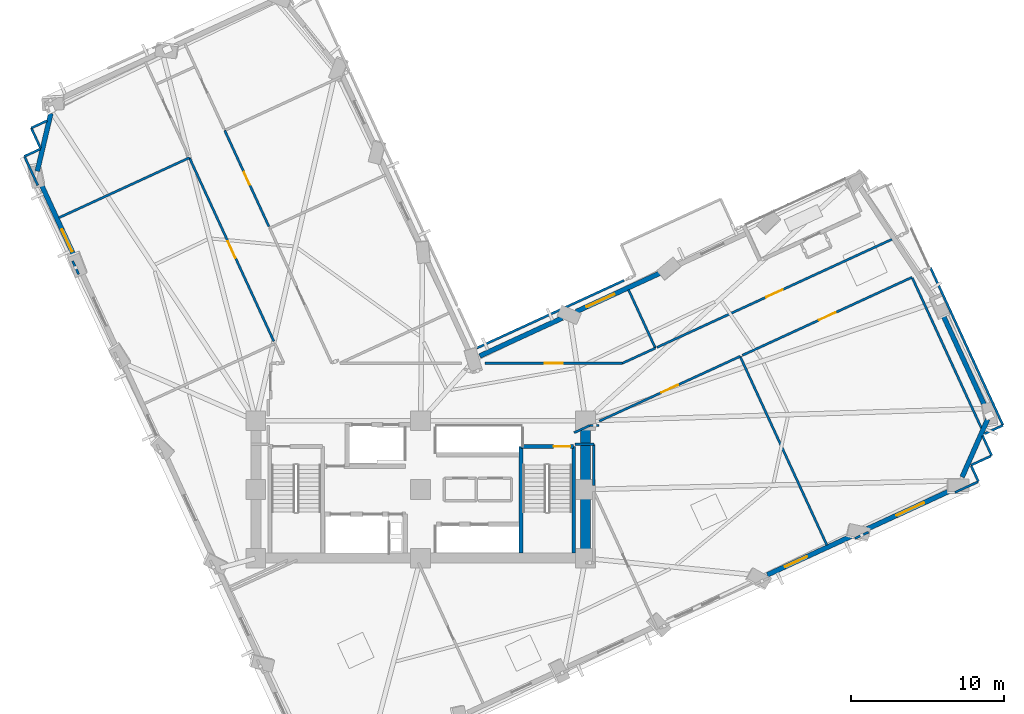
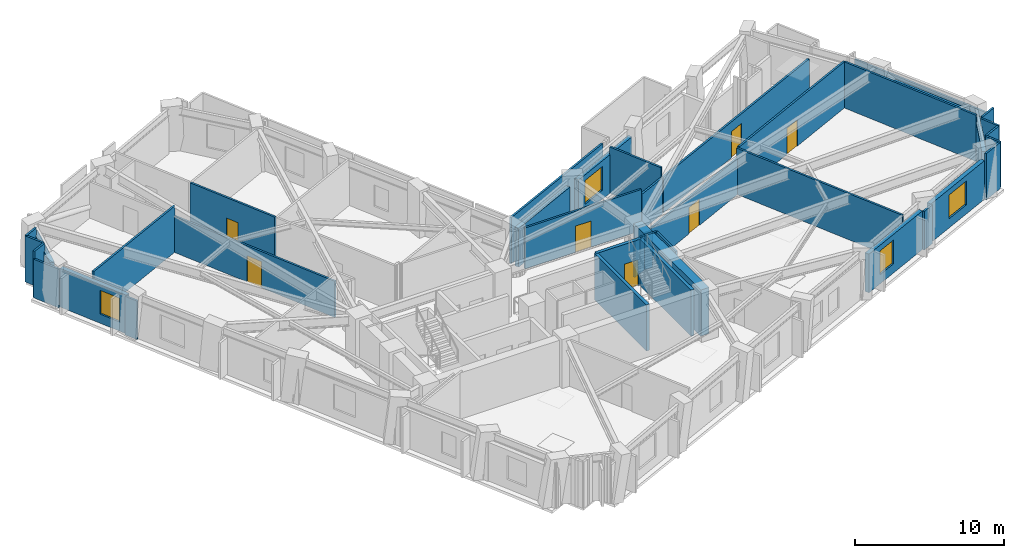
# One storey, part 9 of 16: 40 walls, 7 doors, 4 windows, 11 openings.
"""IFC4 building model written with IfcOpenShell, lengths in metres."""

from ifc_helpers import new_model, si_unit, direction, frame, frame_2d, origin, place, context, subcontext, project, spatial, rectangle, extrude, material, layer, layer_set, type_object, element, fill, save


model = new_model("IFC4")

# Units and contexts
model_context = context("Model", 3, precision=1e-05, world=origin(), true_north=direction((0.0, 1.0)))
body_context = subcontext(model_context, "Body", "Model", "MODEL_VIEW")
ifc_project = project(units=[si_unit("LENGTHUNIT", "METRE"), si_unit("AREAUNIT", "SQUARE_METRE"), si_unit("VOLUMEUNIT", "CUBIC_METRE"), si_unit("PLANEANGLEUNIT", "RADIAN"), si_unit("MASSUNIT", "GRAM", prefix="KILO")], contexts=[model_context])

# Site, building, storey
site_placement = place(None, origin())
site = spatial("IfcSite", under=ifc_project, at=site_placement, CompositionType="ELEMENT")
building_placement = place(site_placement, origin())
building = spatial("IfcBuilding", under=site, at=building_placement, Name="Gaonmaruhae Medical Tower", CompositionType="ELEMENT")
storey_placement = place(building_placement, frame((0.0, 0.0, 128.39990234375)))
storey = spatial("IfcBuildingStorey", under=building, at=storey_placement, Name="L30", CompositionType="ELEMENT", Elevation=128.39990234375)

# Wall
ifc_material_1 = material(Name="Concrete C60/75", Category="concrete")
ifc_layer_1 = layer(ifc_material_1, 0.64990234375)
ifc_layer_set_1 = layer_set([ifc_layer_1], Name="Concrete C60/75")
wall_type_1 = type_object("IfcWallType", Name="CW-650 Zone 2 Core Shear Wall", PredefinedType="SHEAR", material=ifc_layer_set_1)
wall_1_placement = place(storey_placement, frame((35.60009765625, 7.800048828125, 0.0), z_axis=(0.0, 0.0, 1.0), x_axis=(0.0, 1.0, 0.0)))
element("IfcWall", 1, at=wall_1_placement, inside=storey, type_object=wall_type_1, Name="L30 Core Shear Wall CSW-E1", PredefinedType="SHEAR", context=body_context, shape_type="SweptSolid", body=[
    extrude(rectangle(XDim=9.0, YDim=0.64990234375, at=frame_2d((4.5, 0.0))), origin(), (0.0, 0.0, 1.0), 3.780029296875),
])

# Wall, opening, window
ifc_material_2 = material(Name="Precast concrete C45/55", Category="concrete")
ifc_layer_2 = layer(ifc_material_2, 0.320068359375)
ifc_layer_set_2 = layer_set([ifc_layer_2], Name="Precast concrete C45/55")
wall_type_2 = type_object("IfcWallType", Name="EW-320 Lower Precast Masonry-Frame Facade Wall", PredefinedType="SOLIDWALL", material=ifc_layer_set_2)
wall_2_placement = place(storey_placement, frame((53.1611328125, 9.306396484375, 0.0), z_axis=(0.0, 0.0, 1.0), x_axis=(-0.908511320159, -0.41786024116, 0.0)))
wall_2 = element("IfcWall", 2, at=wall_2_placement, inside=storey, type_object=wall_type_2, Name="L30 Precast Masonry-Frame Wall S05-S06", PredefinedType="SOLIDWALL", context=body_context, shape_type="SweptSolid", body=[
    extrude(rectangle(XDim=6.21826171875, YDim=0.320068359375, at=frame_2d((3.109130859375, 0.0))), origin(), (0.0, 0.0, 1.0), 3.1650390625),
])
opening_1_placement = place(wall_2_placement, frame((3.34228515625, 0.0, 0.75)))
opening_1 = element("IfcOpeningElement", 3, at=opening_1_placement, cuts=wall_2, Name="Opening WN-01", PredefinedType="OPENING", context=body_context, shape_type="SweptSolid", body=[
    extrude(rectangle(XDim=1.60009765625, YDim=1.949951171875, at=frame_2d((0.800048828125, 0.97509765625))), frame((0.0, 0.169921875, 0.0), z_axis=(0.0, -1.0, 0.0), x_axis=(1.0, 0.0, 0.0)), (0.0, 0.0, 1.0), 0.340087890625),
])
ifc_material_3 = material(Name="Anodised aluminium and Low-E double glazing", Category="aluminium")
window_type_1 = type_object("IfcWindowType", Name="WN-01 Ward Punched Acoustic Window 1600x1950", PartitioningType="SINGLE_PANEL", PredefinedType="WINDOW", material=ifc_material_3)
window_1_placement = place(opening_1_placement, origin())
window_1 = element("IfcWindow", 4, at=window_1_placement, inside=storey, type_object=window_type_1, Name="L30 Modular Facade Window S05", OverallHeight=1.949951171875, OverallWidth=1.60009765625, PartitioningType="SINGLE_PANEL", PredefinedType="WINDOW", context=body_context, shape_type="SweptSolid", body=[
    extrude(rectangle(XDim=1.60009765625, YDim=1.949951171875, at=frame_2d((0.800048828125, 0.97509765625))), frame((0.0, 0.030029296875, 0.0), z_axis=(0.0, -1.0, 0.0), x_axis=(1.0, 0.0, 0.0)), (0.0, 0.0, 1.0), 0.06005859375),
])
fill(opening_1, window_1)

wall_3_placement = place(storey_placement, frame((59.71630859375, 12.321533203125, 0.0), z_axis=(0.0, 0.0, 1.0), x_axis=(-0.908495501198, -0.417894633015, 0.0)))
wall_3 = element("IfcWall", 5, at=wall_3_placement, inside=storey, type_object=wall_type_2, Name="L30 Precast Masonry-Frame Wall S06-S07", PredefinedType="SOLIDWALL", context=body_context, shape_type="SweptSolid", body=[
    extrude(rectangle(XDim=6.242431640625, YDim=0.320068359375, at=frame_2d((3.12109375, 0.0))), origin(), (0.0, 0.0, 1.0), 3.1650390625),
])
opening_2_placement = place(wall_3_placement, frame((2.125, 0.0, 0.75)))
opening_2 = element("IfcOpeningElement", 6, at=opening_2_placement, cuts=wall_3, Name="Opening WN-02", PredefinedType="OPENING", context=body_context, shape_type="SweptSolid", body=[
    extrude(rectangle(XDim=2.0, YDim=1.949951171875, at=frame_2d((1.0, 0.97509765625))), frame((0.0, 0.169921875, 0.0), z_axis=(0.0, -1.0, 0.0), x_axis=(1.0, 0.0, 0.0)), (0.0, 0.0, 1.0), 0.340087890625),
])
window_type_2 = type_object("IfcWindowType", Name="WN-02 Double-Bed Ward Punched Window 2000x1950", PartitioningType="SINGLE_PANEL", PredefinedType="WINDOW", material=ifc_material_3)
window_2_placement = place(opening_2_placement, origin())
window_2 = element("IfcWindow", 7, at=window_2_placement, inside=storey, type_object=window_type_2, Name="L30 Modular Facade Window S06", OverallHeight=1.949951171875, OverallWidth=2.0, PartitioningType="SINGLE_PANEL", PredefinedType="WINDOW", context=body_context, shape_type="SweptSolid", body=[
    extrude(rectangle(XDim=2.0, YDim=1.949951171875, at=frame_2d((1.0, 0.97509765625))), frame((0.0, 0.030029296875, 0.0), z_axis=(0.0, -1.0, 0.0), x_axis=(1.0, 0.0, 0.0)), (0.0, 0.0, 1.0), 0.06005859375),
])
fill(opening_2, window_2)

# Walls
wall_4_placement = place(storey_placement, frame((61.951904296875, 16.907470703125, 0.0), z_axis=(0.0, 0.0, 1.0), x_axis=(-0.404328860334, -0.914613674018, 0.0)))
element("IfcWall", 8, at=wall_4_placement, inside=storey, type_object=wall_type_2, Name="L30 Precast Masonry-Frame Wall S07-E01", PredefinedType="SOLIDWALL", context=body_context, shape_type="SweptSolid", body=[
    extrude(rectangle(XDim=4.145263671875, YDim=0.320068359375, at=frame_2d((2.07275390625, 0.0))), origin(), (0.0, 0.0, 1.0), 3.1650390625),
])
wall_5_placement = place(storey_placement, frame((58.92041015625, 23.95361328125, 0.0), z_axis=(0.0, 0.0, 1.0), x_axis=(0.417864953171, -0.908509152905, 0.0)))
element("IfcWall", 9, at=wall_5_placement, inside=storey, type_object=wall_type_2, Name="L30 Precast Masonry-Frame Wall E01-E02", PredefinedType="SOLIDWALL", context=body_context, shape_type="SweptSolid", body=[
    extrude(rectangle(XDim=6.83984375, YDim=0.320068359375, at=frame_2d((3.419921875, 0.0))), origin(), (0.0, 0.0, 1.0), 3.1650390625),
])

# Wall, opening, window
wall_6_placement = place(storey_placement, frame((34.988525390625, 23.95263671875, 0.0), z_axis=(0.0, 0.0, 1.0), x_axis=(0.908505077116, 0.417873814512, 0.0)))
wall_6 = element("IfcWall", 10, at=wall_6_placement, inside=storey, type_object=wall_type_2, Name="L30 Precast Masonry-Frame Wall EN02-EN03", PredefinedType="SOLIDWALL", context=body_context, shape_type="SweptSolid", body=[
    extrude(rectangle(XDim=6.211181640625, YDim=0.320068359375, at=frame_2d((3.10546875, 0.0))), origin(), (0.0, 0.0, 1.0), 3.1650390625),
])
opening_3_placement = place(wall_6_placement, frame((0.75341796875, 0.0, 0.75)))
opening_3 = element("IfcOpeningElement", 11, at=opening_3_placement, cuts=wall_6, Name="Opening WN-02", PredefinedType="OPENING", context=body_context, shape_type="SweptSolid", body=[
    extrude(rectangle(XDim=2.0, YDim=1.949951171875, at=frame_2d((1.0, 0.97509765625))), frame((0.0, 0.169921875, 0.0), z_axis=(0.0, -1.0, 0.0), x_axis=(1.0, 0.0, 0.0)), (0.0, 0.0, 1.0), 0.340087890625),
])
window_3_placement = place(opening_3_placement, origin())
window_3 = element("IfcWindow", 12, at=window_3_placement, inside=storey, type_object=window_type_2, Name="L30 Modular Facade Window EN02", OverallHeight=1.949951171875, OverallWidth=2.0, PartitioningType="SINGLE_PANEL", PredefinedType="WINDOW", context=body_context, shape_type="SweptSolid", body=[
    extrude(rectangle(XDim=2.0, YDim=1.949951171875, at=frame_2d((1.0, 0.97509765625))), frame((0.0, 0.030029296875, 0.0), z_axis=(0.0, -1.0, 0.0), x_axis=(1.0, 0.0, 0.0)), (0.0, 0.0, 1.0), 0.06005859375),
])
fill(opening_3, window_3)

# Walls
wall_7_placement = place(storey_placement, frame((28.672119140625, 21.047607421875, 0.0), z_axis=(0.0, 0.0, 1.0), x_axis=(0.908511291262, 0.417860303989, 0.0)))
element("IfcWall", 13, at=wall_7_placement, inside=storey, type_object=wall_type_2, Name="L30 Precast Masonry-Frame Wall EN03-KN01", PredefinedType="SOLIDWALL", context=body_context, shape_type="SweptSolid", body=[
    extrude(rectangle(XDim=5.9599609375, YDim=0.320068359375, at=frame_2d((2.97998046875, 0.0))), origin(), (0.0, 0.0, 1.0), 3.1650390625),
])
wall_8_placement = place(storey_placement, frame((-0.317138671875, 33.154541015625, 0.0), z_axis=(0.0, 0.0, 1.0), x_axis=(0.228790927923, 0.97347558331, 0.0)))
element("IfcWall", 14, at=wall_8_placement, inside=storey, type_object=wall_type_2, Name="L30 Precast Masonry-Frame Wall N03-W01", PredefinedType="SOLIDWALL", context=body_context, shape_type="SweptSolid", body=[
    extrude(rectangle(XDim=3.8896484375, YDim=0.320068359375, at=frame_2d((1.94482421875, 0.0))), origin(), (0.0, 0.0, 1.0), 3.1650390625),
])

# Wall, opening, window
wall_9_placement = place(storey_placement, frame((2.20458984375, 27.36767578125, 0.0), z_axis=(0.0, 0.0, 1.0), x_axis=(-0.417871628393, 0.908506082635, 0.0)))
wall_9 = element("IfcWall", 15, at=wall_9_placement, inside=storey, type_object=wall_type_2, Name="L30 Precast Masonry-Frame Wall W01-W02", PredefinedType="SOLIDWALL", context=body_context, shape_type="SweptSolid", body=[
    extrude(rectangle(XDim=5.455810546875, YDim=0.320068359375, at=frame_2d((2.72802734375, 0.0))), origin(), (0.0, 0.0, 1.0), 3.1650390625),
])
opening_4_placement = place(wall_9_placement, frame((0.572998046875, 0.0, 0.75)))
opening_4 = element("IfcOpeningElement", 16, at=opening_4_placement, cuts=wall_9, Name="Opening WN-01", PredefinedType="OPENING", context=body_context, shape_type="SweptSolid", body=[
    extrude(rectangle(XDim=1.60009765625, YDim=1.949951171875, at=frame_2d((0.800048828125, 0.97509765625))), frame((0.0, 0.169921875, 0.0), z_axis=(0.0, -1.0, 0.0), x_axis=(1.0, 0.0, 0.0)), (0.0, 0.0, 1.0), 0.340087890625),
])
window_4_placement = place(opening_4_placement, origin())
window_4 = element("IfcWindow", 17, at=window_4_placement, inside=storey, type_object=window_type_1, Name="L30 Modular Facade Window W01", OverallHeight=1.949951171875, OverallWidth=1.60009765625, PartitioningType="SINGLE_PANEL", PredefinedType="WINDOW", context=body_context, shape_type="SweptSolid", body=[
    extrude(rectangle(XDim=1.60009765625, YDim=1.949951171875, at=frame_2d((0.800048828125, 0.97509765625))), frame((0.0, 0.030029296875, 0.0), z_axis=(0.0, -1.0, 0.0), x_axis=(1.0, 0.0, 0.0)), (0.0, 0.0, 1.0), 0.06005859375),
])
fill(opening_4, window_4)

# Walls
ifc_material_4 = material(Name="Gypsum board partition", Category="gypsum")
ifc_layer_3 = layer(ifc_material_4, 0.14990234375)
ifc_layer_set_3 = layer_set([ifc_layer_3], Name="Gypsum board partition")
wall_type_3 = type_object("IfcWallType", Name="PW-150 Rated Clinical Corridor Partition", PredefinedType="PARTITIONING", material=ifc_layer_set_3)
wall_10_placement = place(storey_placement, frame((34.85009765625, 16.01904296875, 0.0), z_axis=(0.0, 0.0, 1.0), x_axis=(0.908541977425, 0.417793579722, 0.0)))
element("IfcWall", 18, at=wall_10_placement, inside=storey, type_object=wall_type_3, Name="L30 Interior Partition L30-SUP03-22", PredefinedType="PARTITIONING", context=body_context, shape_type="SweptSolid", body=[
    extrude(rectangle(XDim=1.151123046875, YDim=0.14990234375, at=frame_2d((0.57568359375, 0.0))), origin(), (0.0, 0.0, 1.0), 2.945068359375),
])
wall_11_placement = place(storey_placement, frame((35.89599609375, 16.5, 0.0), z_axis=(0.0, 0.0, 1.0), x_axis=(1.0, 0.0, 0.0)))
element("IfcWall", 19, at=wall_11_placement, inside=storey, type_object=wall_type_3, Name="L30 Interior Partition L30-SUP03-23", PredefinedType="PARTITIONING", context=body_context, shape_type="SweptSolid", body=[
    extrude(rectangle(XDim=0.60400390625, YDim=0.14990234375, at=frame_2d((0.302001953125, 0.0))), origin(), (0.0, 0.0, 1.0), 2.965087890625),
])

# Wall, opening, door
wall_12_placement = place(storey_placement, frame((36.5, 16.778076171875, 0.0), z_axis=(0.0, 0.0, 1.0), x_axis=(0.908527682077, 0.417824665261, 0.0)))
wall_12 = element("IfcWall", 20, at=wall_12_placement, inside=storey, type_object=wall_type_3, Name="L30 Interior Partition L30-SUP03-24", PredefinedType="PARTITIONING", context=body_context, shape_type="SweptSolid", body=[
    extrude(rectangle(XDim=10.1572265625, YDim=0.14990234375, at=frame_2d((5.07861328125, 0.0))), origin(), (0.0, 0.0, 1.0), 2.965087890625),
])
opening_5_placement = place(wall_12_placement, frame((4.478515625, 0.0, 0.0)))
opening_5 = element("IfcOpeningElement", 21, at=opening_5_placement, cuts=wall_12, Name="Opening CD-02", PredefinedType="OPENING", context=body_context, shape_type="SweptSolid", body=[
    extrude(rectangle(XDim=1.199951171875, YDim=2.14990234375, at=frame_2d((0.60009765625, 1.074951171875))), frame((0.0, 0.0849609375, 0.0), z_axis=(0.0, -1.0, 0.0), x_axis=(1.0, 0.0, 0.0)), (0.0, 0.0, 1.0), 0.169921875),
])
ifc_material_5 = material(Name="Antimicrobial laminate timber fire door", Category="wood")
door_type_1 = type_object("IfcDoorType", Name="CD-02 Clinical Treatment & Procedure Door 1200x2150", OperationType="NOTDEFINED", PredefinedType="DOOR", material=ifc_material_5)
door_1_placement = place(opening_5_placement, origin())
door_1 = element("IfcDoor", 22, at=door_1_placement, inside=storey, type_object=door_type_1, Name="L30 Clinical Biomedical Charting Office Door", OperationType="SINGLE_SWING_LEFT", OverallHeight=2.14990234375, OverallWidth=1.199951171875, PredefinedType="DOOR", context=body_context, shape_type="SweptSolid", body=[
    extrude(rectangle(XDim=1.199951171875, YDim=2.14990234375, at=frame_2d((0.60009765625, 1.074951171875))), frame((0.0, 0.02490234375, 0.0), z_axis=(0.0, -1.0, 0.0), x_axis=(1.0, 0.0, 0.0)), (0.0, 0.0, 1.0), 0.050048828125),
])
fill(opening_5, door_1)

# Walls
wall_13_placement = place(storey_placement, frame((45.72802734375, 21.02197265625, 0.0), z_axis=(0.0, 0.0, 1.0), x_axis=(0.417861501893, -0.908510740297, 0.0)))
element("IfcWall", 23, at=wall_13_placement, inside=storey, type_object=wall_type_3, Name="L30 Interior Partition L30-SUP03-25", PredefinedType="PARTITIONING", context=body_context, shape_type="SweptSolid", body=[
    extrude(rectangle(XDim=13.614501953125, YDim=0.14990234375, at=frame_2d((6.80712890625, 0.0))), origin(), (0.0, 0.0, 1.0), 3.780029296875),
])
wall_14_placement = place(storey_placement, frame((36.14990234375, 12.554931640625, 0.0), z_axis=(0.0, 0.0, 1.0), x_axis=(0.0, 1.0, 0.0)))
element("IfcWall", 24, at=wall_14_placement, inside=storey, type_object=wall_type_3, Name="L30 Interior Partition L30-SUP03-28", PredefinedType="PARTITIONING", context=body_context, shape_type="SweptSolid", body=[
    extrude(rectangle(XDim=2.705078125, YDim=0.14990234375, at=frame_2d((1.3525390625, 0.0))), origin(), (0.0, 0.0, 1.0), 3.780029296875),
])
wall_15_placement = place(storey_placement, frame((36.14990234375, 15.260009765625, 0.0), z_axis=(0.0, 0.0, 1.0), x_axis=(-1.0, 0.0, 0.0)))
element("IfcWall", 25, at=wall_15_placement, inside=storey, type_object=wall_type_3, Name="L30 Interior Partition L30-SUP03-29", PredefinedType="PARTITIONING", context=body_context, shape_type="SweptSolid", body=[
    extrude(rectangle(XDim=1.243896484375, YDim=0.14990234375, at=frame_2d((0.6220703125, 0.0))), origin(), (0.0, 0.0, 1.0), 3.780029296875),
])

# Wall, opening, door
wall_16_placement = place(storey_placement, frame((45.8740234375, 21.089111328125, 0.0), z_axis=(0.0, 0.0, 1.0), x_axis=(0.90849514781, 0.417895401273, 0.0)))
wall_16 = element("IfcWall", 26, at=wall_16_placement, inside=storey, type_object=wall_type_3, Name="L30 Interior Partition L30-SUP04-30", PredefinedType="PARTITIONING", context=body_context, shape_type="SweptSolid", body=[
    extrude(rectangle(XDim=12.239990234375, YDim=0.14990234375, at=frame_2d((6.1201171875, 0.0))), origin(), (0.0, 0.0, 1.0), 3.780029296875),
])
opening_6_placement = place(wall_16_placement, frame((5.52001953125, 0.0, 0.0)))
opening_6 = element("IfcOpeningElement", 27, at=opening_6_placement, cuts=wall_16, Name="Opening CD-02", PredefinedType="OPENING", context=body_context, shape_type="SweptSolid", body=[
    extrude(rectangle(XDim=1.199951171875, YDim=2.14990234375, at=frame_2d((0.60009765625, 1.074951171875))), frame((0.0, 0.0849609375, 0.0), z_axis=(0.0, -1.0, 0.0), x_axis=(1.0, 0.0, 0.0)), (0.0, 0.0, 1.0), 0.169921875),
])
door_2_placement = place(opening_6_placement, origin())
door_2 = element("IfcDoor", 28, at=door_2_placement, inside=storey, type_object=door_type_1, Name="L30 Clinical Biomedical Charting Office Door", OperationType="SINGLE_SWING_RIGHT", OverallHeight=2.14990234375, OverallWidth=1.199951171875, PredefinedType="DOOR", context=body_context, shape_type="SweptSolid", body=[
    extrude(rectangle(XDim=1.199951171875, YDim=2.14990234375, at=frame_2d((0.60009765625, 1.074951171875))), frame((0.0, 0.02490234375, 0.0), z_axis=(0.0, -1.0, 0.0), x_axis=(1.0, 0.0, 0.0)), (0.0, 0.0, 1.0), 0.050048828125),
])
fill(opening_6, door_2)

# Walls
wall_17_placement = place(storey_placement, frame((57.014892578125, 26.158935546875, 0.0), z_axis=(0.0, 0.0, 1.0), x_axis=(0.417893334467, -0.90849609851, 0.0)))
element("IfcWall", 29, at=wall_17_placement, inside=storey, type_object=wall_type_3, Name="L30 Interior Partition L30-SUP04-31", PredefinedType="PARTITIONING", context=body_context, shape_type="SweptSolid", body=[
    extrude(rectangle(XDim=10.83544921875, YDim=0.14990234375, at=frame_2d((5.417724609375, 0.0))), origin(), (0.0, 0.0, 1.0), 3.780029296875),
])
wall_18_placement = place(storey_placement, frame((61.616943359375, 15.81591796875, 0.0), z_axis=(0.0, 0.0, 1.0), x_axis=(0.418040799826, -0.908428252357, 0.0)))
element("IfcWall", 30, at=wall_18_placement, inside=storey, type_object=wall_type_3, Name="L30 Interior Partition L30-SUP04-32", PredefinedType="PARTITIONING", context=body_context, shape_type="SweptSolid", body=[
    extrude(rectangle(XDim=1.430908203125, YDim=0.14990234375, at=frame_2d((0.71533203125, 0.0))), origin(), (0.0, 0.0, 1.0), 3.780029296875),
])
wall_19_placement = place(storey_placement, frame((62.169921875, 14.4951171875, 0.0), z_axis=(0.0, 0.0, 1.0), x_axis=(-0.908751053696, -0.417338618398, 0.0)))
element("IfcWall", 31, at=wall_19_placement, inside=storey, type_object=wall_type_3, Name="L30 Interior Partition L30-SUP04-33", PredefinedType="PARTITIONING", context=body_context, shape_type="SweptSolid", body=[
    extrude(rectangle(XDim=1.4501953125, YDim=0.14990234375, at=frame_2d((0.72509765625, 0.0))), origin(), (0.0, 0.0, 1.0), 3.780029296875),
])
wall_20_placement = place(storey_placement, frame((60.873046875, 13.844970703125, 0.0), z_axis=(0.0, 0.0, 1.0), x_axis=(0.418304824386, -0.908306706953, 0.0)))
element("IfcWall", 32, at=wall_20_placement, inside=storey, type_object=wall_type_3, Name="L30 Interior Partition L30-SUP04-34", PredefinedType="PARTITIONING", context=body_context, shape_type="SweptSolid", body=[
    extrude(rectangle(XDim=1.130615234375, YDim=0.14990234375, at=frame_2d((0.5654296875, 0.0))), origin(), (0.0, 0.0, 1.0), 3.780029296875),
])
wall_21_placement = place(storey_placement, frame((61.301025390625, 12.797119140625, 0.0), z_axis=(0.0, 0.0, 1.0), x_axis=(-0.908690592255, -0.417470247499, 0.0)))
element("IfcWall", 33, at=wall_21_placement, inside=storey, type_object=wall_type_3, Name="L30 Interior Partition L30-SUP04-35", PredefinedType="PARTITIONING", context=body_context, shape_type="SweptSolid", body=[
    extrude(rectangle(XDim=1.638671875, YDim=0.14990234375, at=frame_2d((0.8193359375, 0.0))), origin(), (0.0, 0.0, 1.0), 3.780029296875),
])
wall_22_placement = place(storey_placement, frame((54.14111328125, 9.50390625, 0.0), z_axis=(0.0, 0.0, 1.0), x_axis=(-0.908362785779, -0.418183033387, 0.0)))
element("IfcWall", 34, at=wall_22_placement, inside=storey, type_object=wall_type_3, Name="L30 Interior Partition L30-SUP04-36", PredefinedType="PARTITIONING", context=body_context, shape_type="SweptSolid", body=[
    extrude(rectangle(XDim=0.97314453125, YDim=0.14990234375, at=frame_2d((0.486572265625, 0.0))), origin(), (0.0, 0.0, 1.0), 3.1650390625),
])
wall_23_placement = place(storey_placement, frame((1.094970703125, 30.10205078125, 0.0), z_axis=(0.0, 0.0, 1.0), x_axis=(0.908480804965, 0.417926580884, 0.0)))
element("IfcWall", 35, at=wall_23_placement, inside=storey, type_object=wall_type_3, Name="L30 Interior Partition L30-WOF06-47", PredefinedType="PARTITIONING", context=body_context, shape_type="SweptSolid", body=[
    extrude(rectangle(XDim=9.415771484375, YDim=0.14990234375, at=frame_2d((4.7080078125, 0.0))), origin(), (0.0, 0.0, 1.0), 3.780029296875),
])

# Wall, opening, door
wall_24_placement = place(storey_placement, frame((9.64892578125, 34.037109375, 0.0), z_axis=(0.0, 0.0, 1.0), x_axis=(0.417880345161, -0.908502073266, 0.0)))
wall_24 = element("IfcWall", 36, at=wall_24_placement, inside=storey, type_object=wall_type_3, Name="L30 Interior Partition L30-WOF06-48", PredefinedType="PARTITIONING", context=body_context, shape_type="SweptSolid", body=[
    extrude(rectangle(XDim=13.240478515625, YDim=0.14990234375, at=frame_2d((6.6201171875, 0.0))), origin(), (0.0, 0.0, 1.0), 2.965087890625),
])
opening_7_placement = place(wall_24_placement, frame((6.020263671875, 0.0, 0.0)))
opening_7 = element("IfcOpeningElement", 37, at=opening_7_placement, cuts=wall_24, Name="Opening CD-02", PredefinedType="OPENING", context=body_context, shape_type="SweptSolid", body=[
    extrude(rectangle(XDim=1.199951171875, YDim=2.14990234375, at=frame_2d((0.60009765625, 1.074951171875))), frame((0.0, 0.0849609375, 0.0), z_axis=(0.0, -1.0, 0.0), x_axis=(1.0, 0.0, 0.0)), (0.0, 0.0, 1.0), 0.169921875),
])
door_3_placement = place(opening_7_placement, origin())
door_3 = element("IfcDoor", 38, at=door_3_placement, inside=storey, type_object=door_type_1, Name="L30 Ward Physician Reporting Office Door", OperationType="SINGLE_SWING_RIGHT", OverallHeight=2.14990234375, OverallWidth=1.199951171875, PredefinedType="DOOR", context=body_context, shape_type="SweptSolid", body=[
    extrude(rectangle(XDim=1.199951171875, YDim=2.14990234375, at=frame_2d((0.60009765625, 1.074951171875))), frame((0.0, 0.02490234375, 0.0), z_axis=(0.0, -1.0, 0.0), x_axis=(1.0, 0.0, 0.0)), (0.0, 0.0, 1.0), 0.050048828125),
])
fill(opening_7, door_3)

# Walls
wall_25_placement = place(storey_placement, frame((2.39697265625, 26.39892578125, 0.0), z_axis=(0.0, 0.0, 1.0), x_axis=(-0.417284653467, 0.908775834835, 0.0)))
element("IfcWall", 39, at=wall_25_placement, inside=storey, type_object=wall_type_3, Name="L30 Interior Partition L30-WOF06-50", PredefinedType="PARTITIONING", context=body_context, shape_type="SweptSolid", body=[
    extrude(rectangle(XDim=0.960693359375, YDim=0.14990234375, at=frame_2d((0.48046875, 0.0))), origin(), (0.0, 0.0, 1.0), 3.1650390625),
])
wall_26_placement = place(storey_placement, frame((-0.712890625, 35.985107421875, 0.0), z_axis=(0.0, 0.0, 1.0), x_axis=(0.908417143936, 0.41806493826, 0.0)))
element("IfcWall", 40, at=wall_26_placement, inside=storey, type_object=wall_type_3, Name="L30 Interior Partition L30-WOF07-51", PredefinedType="PARTITIONING", context=body_context, shape_type="SweptSolid", body=[
    extrude(rectangle(XDim=1.13818359375, YDim=0.14990234375, at=frame_2d((0.569091796875, 0.0))), origin(), (0.0, 0.0, 1.0), 3.780029296875),
])
wall_27_placement = place(storey_placement, frame((-0.283935546875, 32.22802734375, 0.0), z_axis=(0.0, 0.0, 1.0), x_axis=(-0.417755356028, 0.90855955364, 0.0)))
element("IfcWall", 41, at=wall_27_placement, inside=storey, type_object=wall_type_3, Name="L30 Interior Partition L30-WOF07-55", PredefinedType="PARTITIONING", context=body_context, shape_type="SweptSolid", body=[
    extrude(rectangle(XDim=2.09228515625, YDim=0.14990234375, at=frame_2d((1.046142578125, 0.0))), origin(), (0.0, 0.0, 1.0), 3.1650390625),
])
wall_28_placement = place(storey_placement, frame((-1.157958984375, 34.12890625, 0.0), z_axis=(0.0, 0.0, 1.0), x_axis=(0.908567881383, 0.417737243873, 0.0)))
element("IfcWall", 42, at=wall_28_placement, inside=storey, type_object=wall_type_3, Name="L30 Interior Partition L30-WOF07-56", PredefinedType="PARTITIONING", context=body_context, shape_type="SweptSolid", body=[
    extrude(rectangle(XDim=1.14892578125, YDim=0.14990234375, at=frame_2d((0.574462890625, 0.0))), origin(), (0.0, 0.0, 1.0), 3.780029296875),
])
wall_29_placement = place(storey_placement, frame((-0.10302734375, 34.657958984375, 0.0), z_axis=(0.0, 0.0, 1.0), x_axis=(-0.417552394097, 0.908652848003, 0.0)))
element("IfcWall", 43, at=wall_29_placement, inside=storey, type_object=wall_type_3, Name="L30 Interior Partition L30-WOF07-57", PredefinedType="PARTITIONING", context=body_context, shape_type="SweptSolid", body=[
    extrude(rectangle(XDim=1.46044921875, YDim=0.14990234375, at=frame_2d((0.730224609375, 0.0))), origin(), (0.0, 0.0, 1.0), 3.780029296875),
])

# Wall, opening, door
wall_30_placement = place(storey_placement, frame((38.01904296875, 20.572998046875, 0.0), z_axis=(0.0, 0.0, 1.0), x_axis=(-0.999999691191, 0.000785886319, 0.0)))
wall_30 = element("IfcWall", 44, at=wall_30_placement, inside=storey, type_object=wall_type_3, Name="L30 Interior Partition L30-IE01-58", PredefinedType="PARTITIONING", context=body_context, shape_type="SweptSolid", body=[
    extrude(rectangle(XDim=9.009033203125, YDim=0.14990234375, at=frame_2d((4.50439453125, 0.0))), origin(), (0.0, 0.0, 1.0), 3.364990234375),
])
opening_8_placement = place(wall_30_placement, frame((3.904541015625, 0.0, 0.0)))
opening_8 = element("IfcOpeningElement", 45, at=opening_8_placement, cuts=wall_30, Name="Opening CD-02", PredefinedType="OPENING", context=body_context, shape_type="SweptSolid", body=[
    extrude(rectangle(XDim=1.199951171875, YDim=2.14990234375, at=frame_2d((0.60009765625, 1.074951171875))), frame((0.0, 0.0849609375, 0.0), z_axis=(0.0, -1.0, 0.0), x_axis=(1.0, 0.0, 0.0)), (0.0, 0.0, 1.0), 0.169921875),
])
door_4_placement = place(opening_8_placement, origin())
door_4 = element("IfcDoor", 46, at=door_4_placement, inside=storey, type_object=door_type_1, Name="L30 Central Clinical Nurse Station Door", OperationType="SINGLE_SWING_LEFT", OverallHeight=2.14990234375, OverallWidth=1.199951171875, PredefinedType="DOOR", context=body_context, shape_type="SweptSolid", body=[
    extrude(rectangle(XDim=1.199951171875, YDim=2.14990234375, at=frame_2d((0.60009765625, 1.074951171875))), frame((0.0, 0.02490234375, 0.0), z_axis=(0.0, -1.0, 0.0), x_axis=(1.0, 0.0, 0.0)), (0.0, 0.0, 1.0), 0.050048828125),
])
fill(opening_8, door_4)

# Walls
wall_31_placement = place(storey_placement, frame((28.48291015625, 21.56591796875, 0.0), z_axis=(0.0, 0.0, 1.0), x_axis=(0.908526220932, 0.417827842393, 0.0)))
element("IfcWall", 47, at=wall_31_placement, inside=storey, type_object=wall_type_3, Name="L30 Interior Partition L30-IE01-64", PredefinedType="PARTITIONING", context=body_context, shape_type="SweptSolid", body=[
    extrude(rectangle(XDim=10.6240234375, YDim=0.14990234375, at=frame_2d((5.31201171875, 0.0))), origin(), (0.0, 0.0, 1.0), 3.780029296875),
])
wall_32_placement = place(storey_placement, frame((38.4208984375, 25.383056640625, 0.0), z_axis=(0.0, 0.0, 1.0), x_axis=(0.418067562833, -0.908415936071, 0.0)))
element("IfcWall", 48, at=wall_32_placement, inside=storey, type_object=wall_type_3, Name="L30 Interior Partition L30-IE01-65", PredefinedType="PARTITIONING", context=body_context, shape_type="SweptSolid", body=[
    extrude(rectangle(XDim=4.205078125, YDim=0.14990234375, at=frame_2d((2.1025390625, 0.0))), origin(), (0.0, 0.0, 1.0), 3.780029296875),
])
wall_33_placement = place(storey_placement, frame((40.178955078125, 21.56298828125, 0.0), z_axis=(0.0, 0.0, 1.0), x_axis=(-0.90905995789, -0.416665324884, 0.0)))
element("IfcWall", 49, at=wall_33_placement, inside=storey, type_object=wall_type_3, Name="L30 Interior Partition L30-IE01-66", PredefinedType="PARTITIONING", context=body_context, shape_type="SweptSolid", body=[
    extrude(rectangle(XDim=2.3759765625, YDim=0.14990234375, at=frame_2d((1.18798828125, 0.0))), origin(), (0.0, 0.0, 1.0), 2.945068359375),
])

# Wall, opening, door
wall_34_placement = place(storey_placement, frame((55.677978515625, 28.69189453125, 0.0), z_axis=(0.0, 0.0, 1.0), x_axis=(-0.908501505358, -0.417881579832, 0.0)))
wall_34 = element("IfcWall", 50, at=wall_34_placement, inside=storey, type_object=wall_type_3, Name="L30 Interior Partition L30-IE02-78", PredefinedType="PARTITIONING", context=body_context, shape_type="SweptSolid", body=[
    extrude(rectangle(XDim=16.93994140625, YDim=0.14990234375, at=frame_2d((8.469970703125, 0.0))), origin(), (0.0, 0.0, 1.0), 2.945068359375),
])
opening_9_placement = place(wall_34_placement, frame((7.8701171875, 0.0, 0.0)))
opening_9 = element("IfcOpeningElement", 51, at=opening_9_placement, cuts=wall_34, Name="Opening CD-02", PredefinedType="OPENING", context=body_context, shape_type="SweptSolid", body=[
    extrude(rectangle(XDim=1.199951171875, YDim=2.14990234375, at=frame_2d((0.60009765625, 1.074951171875))), frame((0.0, 0.0849609375, 0.0), z_axis=(0.0, -1.0, 0.0), x_axis=(1.0, 0.0, 0.0)), (0.0, 0.0, 1.0), 0.169921875),
])
door_5_placement = place(opening_9_placement, origin())
door_5 = element("IfcDoor", 52, at=door_5_placement, inside=storey, type_object=door_type_1, Name="L30 Acute Treatment Examination Room Door", OperationType="SINGLE_SWING_RIGHT", OverallHeight=2.14990234375, OverallWidth=1.199951171875, PredefinedType="DOOR", context=body_context, shape_type="SweptSolid", body=[
    extrude(rectangle(XDim=1.199951171875, YDim=2.14990234375, at=frame_2d((0.60009765625, 1.074951171875))), frame((0.0, 0.02490234375, 0.0), z_axis=(0.0, -1.0, 0.0), x_axis=(1.0, 0.0, 0.0)), (0.0, 0.0, 1.0), 0.050048828125),
])
fill(opening_9, door_5)

wall_35_placement = place(storey_placement, frame((14.85791015625, 29.531005859375, 0.0), z_axis=(0.0, 0.0, 1.0), x_axis=(-0.417891651322, 0.908496872727, 0.0)))
wall_35 = element("IfcWall", 53, at=wall_35_placement, inside=storey, type_object=wall_type_3, Name="L30 Interior Partition L30-IN02-86", PredefinedType="PARTITIONING", context=body_context, shape_type="SweptSolid", body=[
    extrude(rectangle(XDim=6.929931640625, YDim=0.14990234375, at=frame_2d((3.46484375, 0.0))), origin(), (0.0, 0.0, 1.0), 3.780029296875),
])
opening_10_placement = place(wall_35_placement, frame((3.005126953125, 0.0, 0.0)))
opening_10 = element("IfcOpeningElement", 54, at=opening_10_placement, cuts=wall_35, Name="Opening UD-01", PredefinedType="OPENING", context=body_context, shape_type="SweptSolid", body=[
    extrude(rectangle(XDim=0.919921875, YDim=2.10009765625, at=frame_2d((0.4599609375, 1.050048828125))), frame((0.0, 0.0849609375, 0.0), z_axis=(0.0, -1.0, 0.0), x_axis=(1.0, 0.0, 0.0)), (0.0, 0.0, 1.0), 0.169921875),
])
ifc_material_6 = material(Name="Powder-coated steel utility door", Category="steel")
door_type_2 = type_object("IfcDoorType", Name="UD-01 Toilet, Utility & Housekeeping Door 920x2100", OperationType="NOTDEFINED", PredefinedType="DOOR", material=ifc_material_6)
door_6_placement = place(opening_10_placement, origin())
door_6 = element("IfcDoor", 55, at=door_6_placement, inside=storey, type_object=door_type_2, Name="L30 Ward Nutrition Pantry Door", OperationType="SINGLE_SWING_LEFT", OverallHeight=2.10009765625, OverallWidth=0.919921875, PredefinedType="DOOR", context=body_context, shape_type="SweptSolid", body=[
    extrude(rectangle(XDim=0.919921875, YDim=2.10009765625, at=frame_2d((0.4599609375, 1.050048828125))), frame((0.0, 0.02490234375, 0.0), z_axis=(0.0, -1.0, 0.0), x_axis=(1.0, 0.0, 0.0)), (0.0, 0.0, 1.0), 0.050048828125),
])
fill(opening_10, door_6)

# Walls
wall_36_placement = place(storey_placement, frame((58.199951171875, 26.8359375, 0.0), z_axis=(0.0, 0.0, 1.0), x_axis=(0.417851377293, -0.90851539695, 0.0)))
element("IfcWall", 56, at=wall_36_placement, inside=storey, type_object=wall_type_3, Name="L30 Interior Partition L30-RM02-98", PredefinedType="PARTITIONING", context=body_context, shape_type="SweptSolid", body=[
    extrude(rectangle(XDim=11.3701171875, YDim=0.14990234375, at=frame_2d((5.68505859375, 0.0))), origin(), (0.0, 0.0, 1.0), 3.1650390625),
])
wall_37_placement = place(storey_placement, frame((62.950927734375, 16.506103515625, 0.0), z_axis=(0.0, 0.0, 1.0), x_axis=(-0.908428174365, -0.418040969307, 0.0)))
element("IfcWall", 57, at=wall_37_placement, inside=storey, type_object=wall_type_3, Name="L30 Interior Partition L30-RM02-99", PredefinedType="PARTITIONING", context=body_context, shape_type="SweptSolid", body=[
    extrude(rectangle(XDim=1.33984375, YDim=0.14990234375, at=frame_2d((0.669921875, 0.0))), origin(), (0.0, 0.0, 1.0), 3.780029296875),
])

# Wall, opening, door
ifc_material_7 = material(Name="Concrete C50/60", Category="concrete")
ifc_layer_4 = layer(ifc_material_7, 0.239990234375)
ifc_layer_set_4 = layer_set([ifc_layer_4], Name="Concrete C50/60")
wall_type_4 = type_object("IfcWallType", Name="SW-240 Dogleg Stair Tight Shaft Wall", PredefinedType="SOLIDWALL", material=ifc_layer_set_4)
wall_38_placement = place(storey_placement, frame((31.3701171875, 15.1201171875, 0.0), z_axis=(0.0, 0.0, 1.0), x_axis=(1.0, 0.0, 0.0)))
wall_38 = element("IfcWall", 58, at=wall_38_placement, inside=storey, type_object=wall_type_4, Name="L30 ST-02 Stair Shaft Wall SHW-ST-02-N", PredefinedType="SOLIDWALL", context=body_context, shape_type="SweptSolid", body=[
    extrude(rectangle(XDim=3.4599609375, YDim=0.239990234375, at=frame_2d((1.72998046875, 0.0))), origin(), (0.0, 0.0, 1.0), 3.780029296875),
])
opening_11_placement = place(wall_38_placement, frame((2.139892578125, 0.0, 0.0)))
opening_11 = element("IfcOpeningElement", 59, at=opening_11_placement, cuts=wall_38, Name="Opening FD-01", PredefinedType="OPENING", context=body_context, shape_type="SweptSolid", body=[
    extrude(rectangle(XDim=1.10009765625, YDim=2.14990234375, at=frame_2d((0.550048828125, 1.074951171875))), frame((0.0, 0.1298828125, 0.0), z_axis=(0.0, -1.0, 0.0), x_axis=(1.0, 0.0, 0.0)), (0.0, 0.0, 1.0), 0.260009765625),
])
ifc_material_8 = material(Name="Powder-coated steel fire door", Category="steel")
door_type_3 = type_object("IfcDoorType", Name="FD-01 Escape Stair Protected Fire Door 1100x2150", OperationType="NOTDEFINED", PredefinedType="DOOR", material=ifc_material_8)
door_7_placement = place(opening_11_placement, origin())
door_7 = element("IfcDoor", 60, at=door_7_placement, inside=storey, type_object=door_type_3, Name="L30 ST-02 Protected Escape Stair Door", OperationType="SINGLE_SWING_RIGHT", OverallHeight=2.14990234375, OverallWidth=1.10009765625, PredefinedType="DOOR", context=body_context, shape_type="SweptSolid", body=[
    extrude(rectangle(XDim=1.10009765625, YDim=2.14990234375, at=frame_2d((0.550048828125, 1.074951171875))), frame((0.0, 0.02490234375, 0.0), z_axis=(0.0, -1.0, 0.0), x_axis=(1.0, 0.0, 0.0)), (0.0, 0.0, 1.0), 0.050048828125),
])
fill(opening_11, door_7)

# Walls
for number, where, z_axis, x_axis, name in (
    (61, (34.830078125, 15.1201171875, 0.0), (0.0, 0.0, 1.0), (0.0, -1.0, 0.0), "L30 ST-02 Stair Shaft Wall SHW-ST-02-E"),
    (62, (31.3701171875, 8.125, 0.0), (0.0, 0.0, 1.0), (0.0, 1.0, 0.0), "L30 ST-02 Stair Shaft Wall SHW-ST-02-W"),
):
    element("IfcWall", number, at=place(storey_placement, frame(where, z_axis=z_axis, x_axis=x_axis)), inside=storey, type_object=wall_type_4, Name=name, PredefinedType="SOLIDWALL", context=body_context, shape_type="SweptSolid", body=[
        extrude(rectangle(XDim=6.9951171875, YDim=0.239990234375, at=frame_2d((3.49755859375, 0.0))), origin(), (0.0, 0.0, 1.0), 3.780029296875),
    ])

save(model, "model.ifc")
